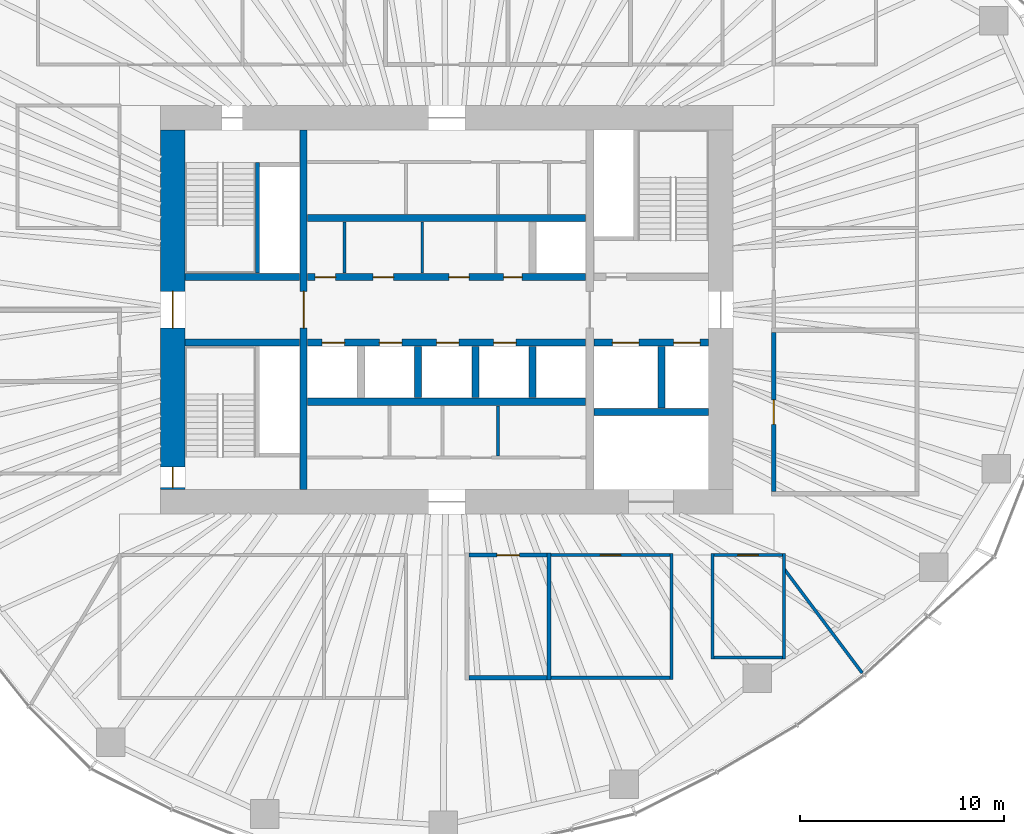
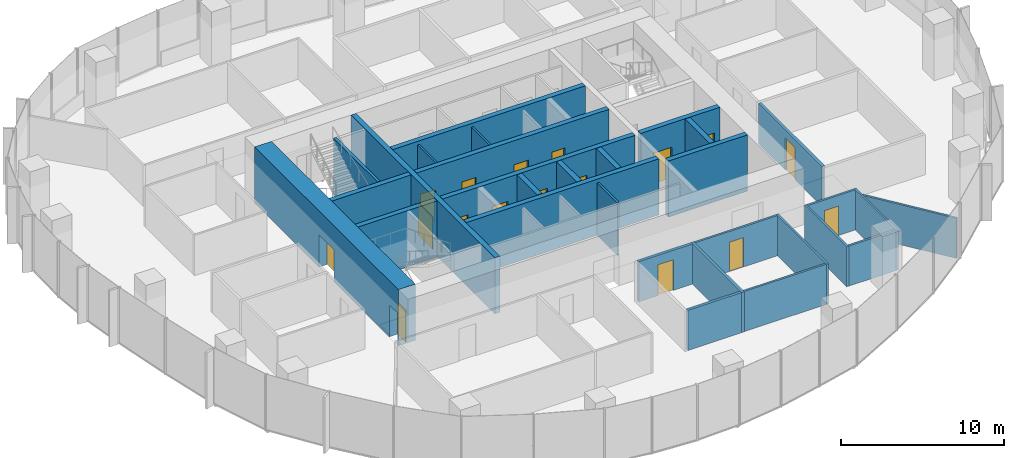
# One storey, part 9 of 18: 30 walls, 17 doors, 17 openings.
"""IFC4 building model written with IfcOpenShell, lengths in metres."""

from ifc_helpers import new_model, si_unit, direction, frame, frame_2d, origin, place, context, subcontext, project, spatial, rectangle, extrude, material, layer, layer_set, type_object, element, fill, save


model = new_model("IFC4")

# Units and contexts
model_context = context("Model", 3, precision=1e-05, world=origin(), true_north=direction((0.0, 1.0)))
body_context = subcontext(model_context, "Body", "Model", "MODEL_VIEW")
ifc_project = project(units=[si_unit("LENGTHUNIT", "METRE"), si_unit("AREAUNIT", "SQUARE_METRE"), si_unit("VOLUMEUNIT", "CUBIC_METRE"), si_unit("PLANEANGLEUNIT", "RADIAN"), si_unit("MASSUNIT", "GRAM", prefix="KILO")], contexts=[model_context])

# Site, building, storey
site_placement = place(None, origin())
site = spatial("IfcSite", under=ifc_project, at=site_placement, CompositionType="ELEMENT")
building_placement = place(site_placement, origin())
building = spatial("IfcBuilding", under=site, at=building_placement, Name="Ghaith Harvest Tower", CompositionType="ELEMENT")
storey_placement = place(building_placement, frame((0.0, 0.0, 155.39990234375)))
storey = spatial("IfcBuildingStorey", under=building, at=storey_placement, Name="L33", CompositionType="ELEMENT", Elevation=155.39990234375)

# Wall
ifc_material_1 = material(Name="Twin-stud gypsum board, acoustic", Category="gypsum")
ifc_layer_1 = layer(ifc_material_1, 0.199951171875)
ifc_layer_set_1 = layer_set([ifc_layer_1], Name="ACOUSTIC PARTITION 200")
wall_type_1 = type_object("IfcWallType", Name="ACOUSTIC PARTITION 200", PredefinedType="PARTITIONING", material=ifc_layer_set_1)
wall_1_placement = place(storey_placement, frame((5.0, -11.89990234375, 0.0), z_axis=(0.0, 0.0, 1.0), x_axis=(0.0, -1.0, 0.0)))
element("IfcWall", 1, at=wall_1_placement, inside=storey, type_object=wall_type_1, Name="Partition L33 row S2 cross wall 2", PredefinedType="PARTITIONING", context=body_context, shape_type="SweptSolid", body=[
    extrude(rectangle(XDim=6.2001953125, YDim=0.199951171875, at=frame_2d((3.10009765625, 0.0))), origin(), (0.0, 0.0, 1.0), 3.0),
])

# Wall, opening, door
wall_2_placement = place(storey_placement, frame((1.10009765625, -12.0, 0.0), z_axis=(0.0, 0.0, 1.0), x_axis=(1.0, 0.0, 0.0)))
wall_2 = element("IfcWall", 2, at=wall_2_placement, inside=storey, type_object=wall_type_1, Name="Partition L33-03", PredefinedType="PARTITIONING", context=body_context, shape_type="SweptSolid", body=[
    extrude(rectangle(XDim=3.7998046875, YDim=0.199951171875, at=frame_2d((1.89990234375, 0.0))), origin(), (0.0, 0.0, 1.0), 3.0),
])
opening_1_placement = place(wall_2_placement, frame((1.35009765625, 0.0, 0.0)))
opening_1 = element("IfcOpeningElement", 3, at=opening_1_placement, cuts=wall_2, Name="Opening 33-031", PredefinedType="OPENING", context=body_context, shape_type="SweptSolid", body=[
    extrude(rectangle(XDim=1.10009765625, YDim=2.300048828125, at=frame_2d((0.550048828125, 1.14990234375))), frame((0.0, 0.10986328125, 0.0), z_axis=(0.0, -1.0, 0.0), x_axis=(1.0, 0.0, 0.0)), (0.0, 0.0, 1.0), 0.219970703125),
])
ifc_material_2 = material(Name="Timber-framed glazed door", Category="wood")
door_type_1 = type_object("IfcDoorType", Name="D12 GLAZED OFFICE 1100x2300", OperationType="SINGLE_SWING_LEFT", PredefinedType="DOOR", material=ifc_material_2)
door_1_placement = place(opening_1_placement, origin())
door_1 = element("IfcDoor", 4, at=door_1_placement, inside=storey, type_object=door_type_1, Name="Focus room door", OperationType="SINGLE_SWING_LEFT", OverallHeight=2.300048828125, OverallWidth=1.10009765625, PredefinedType="DOOR", context=body_context, shape_type="SweptSolid", body=[
    extrude(rectangle(XDim=1.10009765625, YDim=2.300048828125, at=frame_2d((0.550048828125, 1.14990234375))), frame((0.0, 0.02490234375, 0.0), z_axis=(0.0, -1.0, 0.0), x_axis=(1.0, 0.0, 0.0)), (0.0, 0.0, 1.0), 0.050048828125),
])
fill(opening_1, door_1)

# Wall
wall_3_placement = place(storey_placement, frame((1.10009765625, -18.0, 0.0), z_axis=(0.0, 0.0, 1.0), x_axis=(1.0, 0.0, 0.0)))
element("IfcWall", 5, at=wall_3_placement, inside=storey, type_object=wall_type_1, Name="Partition L33-03", PredefinedType="PARTITIONING", context=body_context, shape_type="SweptSolid", body=[
    extrude(rectangle(XDim=3.7998046875, YDim=0.199951171875, at=frame_2d((1.89990234375, 0.0))), origin(), (0.0, 0.0, 1.0), 3.0),
])

# Wall, opening, door
wall_4_placement = place(storey_placement, frame((16.0, -8.89990234375, 0.0), z_axis=(0.0, 0.0, 1.0), x_axis=(0.0, 1.0, 0.0)))
wall_4 = element("IfcWall", 6, at=wall_4_placement, inside=storey, type_object=wall_type_1, Name="Partition L33-10", PredefinedType="PARTITIONING", context=body_context, shape_type="SweptSolid", body=[
    extrude(rectangle(XDim=7.7998046875, YDim=0.199951171875, at=frame_2d((3.89990234375, 0.0))), origin(), (0.0, 0.0, 1.0), 3.0),
])
opening_2_placement = place(wall_4_placement, frame((3.300048828125, 0.0, 0.0)))
opening_2 = element("IfcOpeningElement", 7, at=opening_2_placement, cuts=wall_4, Name="Opening 33-038", PredefinedType="OPENING", context=body_context, shape_type="SweptSolid", body=[
    extrude(rectangle(XDim=1.199951171875, YDim=2.39990234375, at=frame_2d((0.60009765625, 1.199951171875))), frame((0.0, 0.10986328125, 0.0), z_axis=(0.0, -1.0, 0.0), x_axis=(1.0, 0.0, 0.0)), (0.0, 0.0, 1.0), 0.219970703125),
])
ifc_material_3 = material(Name="Timber door", Category="wood")
door_type_2 = type_object("IfcDoorType", Name="D11 GLAZED 1200x2400", OperationType="SINGLE_SWING_LEFT", PredefinedType="DOOR", material=ifc_material_3)
door_2_placement = place(opening_2_placement, origin())
door_2 = element("IfcDoor", 8, at=door_2_placement, inside=storey, type_object=door_type_2, Name="Focus group room door", OperationType="SINGLE_SWING_LEFT", OverallHeight=2.39990234375, OverallWidth=1.199951171875, PredefinedType="DOOR", context=body_context, shape_type="SweptSolid", body=[
    extrude(rectangle(XDim=1.199951171875, YDim=2.39990234375, at=frame_2d((0.60009765625, 1.199951171875))), frame((0.0, 0.02490234375, 0.0), z_axis=(0.0, -1.0, 0.0), x_axis=(1.0, 0.0, 0.0)), (0.0, 0.0, 1.0), 0.050048828125),
])
fill(opening_2, door_2)

# Walls
ifc_material_4 = material(Name="Concrete blockwork, fair-faced", Category="masonry")
ifc_layer_2 = layer(ifc_material_4, 0.139892578125)
ifc_layer_set_2 = layer_set([ifc_layer_2], Name="CORE PARTITION 140")
wall_type_2 = type_object("IfcWallType", Name="CORE PARTITION 140", PredefinedType="PARTITIONING", material=ifc_layer_set_2)
wall_5_placement = place(storey_placement, frame((2.5, -4.699951171875, 0.0), z_axis=(0.0, 0.0, 1.0), x_axis=(0.0, -1.0, 0.0)))
element("IfcWall", 9, at=wall_5_placement, inside=storey, type_object=wall_type_2, Name="Core partition L33", PredefinedType="PARTITIONING", context=body_context, shape_type="SweptSolid", body=[
    extrude(rectangle(XDim=2.4599609375, YDim=0.139892578125, at=frame_2d((1.22998046875, 0.0))), origin(), (0.0, 0.0, 1.0), 3.9501953125),
])
for number, where, z_axis, x_axis, name in (
    (10, (-5.0, 1.800048828125, 0.0), (0.0, 0.0, 1.0), (0.0, 1.0, 0.0), "Core partition L33"),
    (11, (-1.199951171875, 1.800048828125, 0.0), (0.0, 0.0, 1.0), (0.0, 1.0, 0.0), "Core partition L33"),
):
    element("IfcWall", number, at=place(storey_placement, frame(where, z_axis=z_axis, x_axis=x_axis)), inside=storey, type_object=wall_type_2, Name=name, PredefinedType="PARTITIONING", context=body_context, shape_type="SweptSolid", body=[
        extrude(rectangle(XDim=2.5, YDim=0.139892578125, at=frame_2d((1.25, 0.0))), origin(), (0.0, 0.0, 1.0), 3.9501953125),
    ])

# Wall, openings, doors
ifc_material_5 = material(Name="Concrete C60/75", Category="concrete")
ifc_layer_3 = layer(ifc_material_5, 1.199951171875)
ifc_layer_set_3 = layer_set([ifc_layer_3], Name="CORE WALL CW1200 C60")
wall_type_3 = type_object("IfcWallType", Name="CORE WALL CW1200 C60", PredefinedType="SHEAR", material=ifc_layer_set_3)
wall_6_placement = place(storey_placement, frame((-13.39990234375, 8.800048828125, 0.0), z_axis=(0.0, 0.0, 1.0), x_axis=(0.0, -1.0, 0.0)))
wall_6 = element("IfcWall", 12, at=wall_6_placement, inside=storey, type_object=wall_type_3, Name="Core wall W L33", PredefinedType="SHEAR", context=body_context, shape_type="SweptSolid", body=[
    extrude(rectangle(XDim=17.60009765625, YDim=1.199951171875, at=frame_2d((8.800048828125, 0.0))), origin(), (0.0, 0.0, 1.0), 4.2001953125),
])
opening_3_placement = place(wall_6_placement, frame((7.89990234375, 0.0, 0.0)))
opening_3 = element("IfcOpeningElement", 13, at=opening_3_placement, cuts=wall_6, Name="Opening 33-001", PredefinedType="OPENING", context=body_context, shape_type="SweptSolid", body=[
    extrude(rectangle(XDim=1.800048828125, YDim=2.39990234375, at=frame_2d((0.89990234375, 1.199951171875))), frame((0.0, 0.60986328125, 0.0), z_axis=(0.0, -1.0, 0.0), x_axis=(1.0, 0.0, 0.0)), (0.0, 0.0, 1.0), 1.219970703125),
])
opening_4_placement = place(wall_6_placement, frame((16.5, 0.0, 0.0)))
opening_4 = element("IfcOpeningElement", 14, at=opening_4_placement, cuts=wall_6, Name="Opening 33-006", PredefinedType="OPENING", context=body_context, shape_type="SweptSolid", body=[
    extrude(rectangle(XDim=1.0, YDim=2.39990234375, at=frame_2d((0.5, 1.199951171875))), frame((0.0, 0.60986328125, 0.0), z_axis=(0.0, -1.0, 0.0), x_axis=(1.0, 0.0, 0.0)), (0.0, 0.0, 1.0), 1.219970703125),
])
ifc_material_6 = material(Name="Steel fire door", Category="steel")
door_type_3 = type_object("IfcDoorType", Name="D3 FD90 1000x2400", OperationType="SINGLE_SWING_LEFT", PredefinedType="DOOR", material=ifc_material_6)
door_3_placement = place(opening_4_placement, origin())
door_3 = element("IfcDoor", 15, at=door_3_placement, inside=storey, type_object=door_type_3, Name="Stair ST3 door", OperationType="SINGLE_SWING_RIGHT", OverallHeight=2.39990234375, OverallWidth=1.0, PredefinedType="DOOR", context=body_context, shape_type="SweptSolid", body=[
    extrude(rectangle(XDim=1.0, YDim=2.39990234375, at=frame_2d((0.5, 1.199951171875))), frame((0.0, 0.02490234375, 0.0), z_axis=(0.0, -1.0, 0.0), x_axis=(1.0, 0.0, 0.0)), (0.0, 0.0, 1.0), 0.050048828125),
])
fill(opening_4, door_3)
ifc_material_7 = material(Name="Steel fire door", Category="steel")
door_type_4 = type_object("IfcDoorType", Name="D4 FD90 PAIR 1800x2400", OperationType="DOUBLE_DOOR_SINGLE_SWING", PredefinedType="DOOR", material=ifc_material_7)
door_4_placement = place(opening_3_placement, origin())
door_4 = element("IfcDoor", 16, at=door_4_placement, inside=storey, type_object=door_type_4, Name="West lobby doors", OperationType="DOUBLE_DOOR_SINGLE_SWING", OverallHeight=2.39990234375, OverallWidth=1.800048828125, PredefinedType="DOOR", context=body_context, shape_type="SweptSolid", body=[
    extrude(rectangle(XDim=1.800048828125, YDim=2.39990234375, at=frame_2d((0.89990234375, 1.199951171875))), frame((0.0, 0.02490234375, 0.0), z_axis=(0.0, -1.0, 0.0), x_axis=(1.0, 0.0, 0.0)), (0.0, 0.0, 1.0), 0.050048828125),
])
fill(opening_3, door_4)

# Wall
ifc_material_8 = material(Name="Gypsum board on steel studs", Category="steel")
ifc_layer_4 = layer(ifc_material_8, 0.14990234375)
ifc_layer_set_4 = layer_set([ifc_layer_4], Name="PARTITION 150")
wall_type_4 = type_object("IfcWallType", Name="PARTITION 150", PredefinedType="PARTITIONING", material=ifc_layer_set_4)
wall_7_placement = place(storey_placement, frame((11.0, -11.925048828125, 0.0), z_axis=(0.0, 0.0, 1.0), x_axis=(0.0, -1.0, 0.0)))
element("IfcWall", 17, at=wall_7_placement, inside=storey, type_object=wall_type_4, Name="Partition L33 row S2 cross wall 3", PredefinedType="PARTITIONING", context=body_context, shape_type="SweptSolid", body=[
    extrude(rectangle(XDim=6.14990234375, YDim=0.14990234375, at=frame_2d((3.074951171875, 0.0))), origin(), (0.0, 0.0, 1.0), 3.0),
])

# Wall, opening, door
wall_8_placement = place(storey_placement, frame((5.10009765625, -12.0, 0.0), z_axis=(0.0, 0.0, 1.0), x_axis=(1.0, 0.0, 0.0)))
wall_8 = element("IfcWall", 18, at=wall_8_placement, inside=storey, type_object=wall_type_4, Name="Partition L33-04", PredefinedType="PARTITIONING", context=body_context, shape_type="SweptSolid", body=[
    extrude(rectangle(XDim=5.824951171875, YDim=0.14990234375, at=frame_2d((2.91259765625, 0.0))), origin(), (0.0, 0.0, 1.0), 3.0),
])
opening_5_placement = place(wall_8_placement, frame((2.41259765625, 0.0, 0.0)))
opening_5 = element("IfcOpeningElement", 19, at=opening_5_placement, cuts=wall_8, Name="Opening 33-032", PredefinedType="OPENING", context=body_context, shape_type="SweptSolid", body=[
    extrude(rectangle(XDim=1.0, YDim=2.199951171875, at=frame_2d((0.5, 1.10009765625))), frame((0.0, 0.0849609375, 0.0), z_axis=(0.0, -1.0, 0.0), x_axis=(1.0, 0.0, 0.0)), (0.0, 0.0, 1.0), 0.169921875),
])
ifc_material_9 = material(Name="Timber door", Category="wood")
door_type_5 = type_object("IfcDoorType", Name="D1 SINGLE 1000x2200", OperationType="SINGLE_SWING_LEFT", PredefinedType="DOOR", material=ifc_material_9)
door_5_placement = place(opening_5_placement, origin())
door_5 = element("IfcDoor", 20, at=door_5_placement, inside=storey, type_object=door_type_5, Name="Print room door", OperationType="SINGLE_SWING_LEFT", OverallHeight=2.199951171875, OverallWidth=1.0, PredefinedType="DOOR", context=body_context, shape_type="SweptSolid", body=[
    extrude(rectangle(XDim=1.0, YDim=2.199951171875, at=frame_2d((0.5, 1.10009765625))), frame((0.0, 0.02490234375, 0.0), z_axis=(0.0, -1.0, 0.0), x_axis=(1.0, 0.0, 0.0)), (0.0, 0.0, 1.0), 0.050048828125),
])
fill(opening_5, door_5)

# Walls
wall_9_placement = place(storey_placement, frame((5.10009765625, -18.0, 0.0), z_axis=(0.0, 0.0, 1.0), x_axis=(1.0, 0.0, 0.0)))
element("IfcWall", 21, at=wall_9_placement, inside=storey, type_object=wall_type_4, Name="Partition L33-04", PredefinedType="PARTITIONING", context=body_context, shape_type="SweptSolid", body=[
    extrude(rectangle(XDim=5.824951171875, YDim=0.14990234375, at=frame_2d((2.91259765625, 0.0))), origin(), (0.0, 0.0, 1.0), 3.0),
])
for number, where, z_axis, x_axis, name in (
    (22, (13.0, -11.925048828125, 0.0), (0.0, 0.0, 1.0), (0.0, -1.0, 0.0), "Partition L33 row S8 cross wall 1"),
    (23, (16.5, -11.925048828125, 0.0), (0.0, 0.0, 1.0), (0.0, -1.0, 0.0), "Partition L33 row S8 cross wall 2"),
):
    element("IfcWall", number, at=place(storey_placement, frame(where, z_axis=z_axis, x_axis=x_axis)), inside=storey, type_object=wall_type_4, Name=name, PredefinedType="PARTITIONING", context=body_context, shape_type="SweptSolid", body=[
        extrude(rectangle(XDim=5.14990234375, YDim=0.14990234375, at=frame_2d((2.574951171875, 0.0))), origin(), (0.0, 0.0, 1.0), 3.0),
    ])

# Wall, opening, door
wall_10_placement = place(storey_placement, frame((13.074951171875, -12.0, 0.0), z_axis=(0.0, 0.0, 1.0), x_axis=(1.0, 0.0, 0.0)))
wall_10 = element("IfcWall", 24, at=wall_10_placement, inside=storey, type_object=wall_type_4, Name="Partition L33-16", PredefinedType="PARTITIONING", context=body_context, shape_type="SweptSolid", body=[
    extrude(rectangle(XDim=3.35009765625, YDim=0.14990234375, at=frame_2d((1.675048828125, 0.0))), origin(), (0.0, 0.0, 1.0), 3.0),
])
opening_6_placement = place(wall_10_placement, frame((1.175048828125, 0.0, 0.0)))
opening_6 = element("IfcOpeningElement", 25, at=opening_6_placement, cuts=wall_10, Name="Opening 33-044", PredefinedType="OPENING", context=body_context, shape_type="SweptSolid", body=[
    extrude(rectangle(XDim=1.0, YDim=2.199951171875, at=frame_2d((0.5, 1.10009765625))), frame((0.0, 0.0849609375, 0.0), z_axis=(0.0, -1.0, 0.0), x_axis=(1.0, 0.0, 0.0)), (0.0, 0.0, 1.0), 0.169921875),
])
door_6_placement = place(opening_6_placement, origin())
door_6 = element("IfcDoor", 26, at=door_6_placement, inside=storey, type_object=door_type_5, Name="Store door", OperationType="SINGLE_SWING_LEFT", OverallHeight=2.199951171875, OverallWidth=1.0, PredefinedType="DOOR", context=body_context, shape_type="SweptSolid", body=[
    extrude(rectangle(XDim=1.0, YDim=2.199951171875, at=frame_2d((0.5, 1.10009765625))), frame((0.0, 0.02490234375, 0.0), z_axis=(0.0, -1.0, 0.0), x_axis=(1.0, 0.0, 0.0)), (0.0, 0.0, 1.0), 0.050048828125),
])
fill(opening_6, door_6)

# Walls
wall_11_placement = place(storey_placement, frame((13.074951171875, -17.0, 0.0), z_axis=(0.0, 0.0, 1.0), x_axis=(1.0, 0.0, 0.0)))
element("IfcWall", 27, at=wall_11_placement, inside=storey, type_object=wall_type_4, Name="Partition L33-16", PredefinedType="PARTITIONING", context=body_context, shape_type="SweptSolid", body=[
    extrude(rectangle(XDim=3.35009765625, YDim=0.14990234375, at=frame_2d((1.675048828125, 0.0))), origin(), (0.0, 0.0, 1.0), 3.0),
])
wall_12_placement = place(storey_placement, frame((16.52001953125, -12.693115234375, 0.0), z_axis=(0.0, 0.0, 1.0), x_axis=(0.600036938918, -0.799972294479, 0.0)))
element("IfcWall", 28, at=wall_12_placement, inside=storey, type_object=wall_type_4, Name="Partition L33 zone division", PredefinedType="PARTITIONING", context=body_context, shape_type="SweptSolid", body=[
    extrude(rectangle(XDim=6.3447265625, YDim=0.14990234375, at=frame_2d((3.17236328125, 0.0))), origin(), (0.0, 0.0, 1.0), 3.0),
])

# Wall, opening, door
ifc_material_10 = material(Name="Concrete C60/75", Category="concrete")
ifc_layer_5 = layer(ifc_material_10, 0.35009765625)
ifc_layer_set_5 = layer_set([ifc_layer_5], Name="SHAFT WALL 350")
wall_type_5 = type_object("IfcWallType", Name="SHAFT WALL 350", PredefinedType="SHEAR", material=ifc_layer_set_5)
wall_13_placement = place(storey_placement, frame((-7.0, -8.800048828125, 0.0), z_axis=(0.0, 0.0, 1.0), x_axis=(0.0, 1.0, 0.0)))
wall_13 = element("IfcWall", 29, at=wall_13_placement, inside=storey, type_object=wall_type_5, Name="Shaft wall W7W L33", PredefinedType="SHEAR", context=body_context, shape_type="SweptSolid", body=[
    extrude(rectangle(XDim=17.60009765625, YDim=0.35009765625, at=frame_2d((8.800048828125, 0.0))), origin(), (0.0, 0.0, 1.0), 4.2001953125),
])
opening_7_placement = place(wall_13_placement, frame((7.89990234375, 0.0, 0.0)))
opening_7 = element("IfcOpeningElement", 30, at=opening_7_placement, cuts=wall_13, Name="Opening 33-003", PredefinedType="OPENING", context=body_context, shape_type="SweptSolid", body=[
    extrude(rectangle(XDim=1.800048828125, YDim=2.39990234375, at=frame_2d((0.89990234375, 1.199951171875))), frame((0.0, 0.18505859375, 0.0), z_axis=(0.0, -1.0, 0.0), x_axis=(1.0, 0.0, 0.0)), (0.0, 0.0, 1.0), 0.3701171875),
])
door_7_placement = place(opening_7_placement, origin())
door_7 = element("IfcDoor", 31, at=door_7_placement, inside=storey, type_object=door_type_4, Name="Lift lobby doors, west", OperationType="DOUBLE_DOOR_SINGLE_SWING", OverallHeight=2.39990234375, OverallWidth=1.800048828125, PredefinedType="DOOR", context=body_context, shape_type="SweptSolid", body=[
    extrude(rectangle(XDim=1.800048828125, YDim=2.39990234375, at=frame_2d((0.89990234375, 1.199951171875))), frame((0.0, 0.02490234375, 0.0), z_axis=(0.0, -1.0, 0.0), x_axis=(1.0, 0.0, 0.0)), (0.0, 0.0, 1.0), 0.050048828125),
])
fill(opening_7, door_7)

# Wall, openings, doors
wall_14_placement = place(storey_placement, frame((-6.800048828125, 1.60009765625, 0.0), z_axis=(0.0, 0.0, 1.0), x_axis=(1.0, 0.0, 0.0)))
wall_14 = element("IfcWall", 32, at=wall_14_placement, inside=storey, type_object=wall_type_5, Name="Shaft wall LN L33", PredefinedType="SHEAR", context=body_context, shape_type="SweptSolid", body=[
    extrude(rectangle(XDim=13.60009765625, YDim=0.35009765625, at=frame_2d((6.800048828125, 0.0))), origin(), (0.0, 0.0, 1.0), 4.2001953125),
])
opening_8_placement = place(wall_14_placement, frame((0.364990234375, 0.0, 0.0)))
opening_8 = element("IfcOpeningElement", 33, at=opening_8_placement, cuts=wall_14, Name="Opening 33-016", PredefinedType="OPENING", context=body_context, shape_type="SweptSolid", body=[
    extrude(rectangle(XDim=1.0, YDim=2.39990234375, at=frame_2d((0.5, 1.199951171875))), frame((0.0, 0.18505859375, 0.0), z_axis=(0.0, -1.0, 0.0), x_axis=(1.0, 0.0, 0.0)), (0.0, 0.0, 1.0), 0.3701171875),
])
opening_9_placement = place(wall_14_placement, frame((3.199951171875, 0.0, 0.0)))
opening_9 = element("IfcOpeningElement", 34, at=opening_9_placement, cuts=wall_14, Name="Opening 33-017", PredefinedType="OPENING", context=body_context, shape_type="SweptSolid", body=[
    extrude(rectangle(XDim=1.0, YDim=2.39990234375, at=frame_2d((0.5, 1.199951171875))), frame((0.0, 0.18505859375, 0.0), z_axis=(0.0, -1.0, 0.0), x_axis=(1.0, 0.0, 0.0)), (0.0, 0.0, 1.0), 0.3701171875),
])
opening_10_placement = place(wall_14_placement, frame((6.89990234375, 0.0, 0.0)))
opening_10 = element("IfcOpeningElement", 35, at=opening_10_placement, cuts=wall_14, Name="Opening 33-018", PredefinedType="OPENING", context=body_context, shape_type="SweptSolid", body=[
    extrude(rectangle(XDim=1.0, YDim=2.39990234375, at=frame_2d((0.5, 1.199951171875))), frame((0.0, 0.18505859375, 0.0), z_axis=(0.0, -1.0, 0.0), x_axis=(1.0, 0.0, 0.0)), (0.0, 0.0, 1.0), 0.3701171875),
])
opening_11_placement = place(wall_14_placement, frame((9.5849609375, 0.0, 0.0)))
opening_11 = element("IfcOpeningElement", 36, at=opening_11_placement, cuts=wall_14, Name="Opening 33-019", PredefinedType="OPENING", context=body_context, shape_type="SweptSolid", body=[
    extrude(rectangle(XDim=0.89990234375, YDim=2.39990234375, at=frame_2d((0.449951171875, 1.199951171875))), frame((0.0, 0.18505859375, 0.0), z_axis=(0.0, -1.0, 0.0), x_axis=(1.0, 0.0, 0.0)), (0.0, 0.0, 1.0), 0.3701171875),
])
door_8_placement = place(opening_8_placement, origin())
door_8 = element("IfcDoor", 37, at=door_8_placement, inside=storey, type_object=door_type_3, Name="First aid room door", OperationType="SINGLE_SWING_LEFT", OverallHeight=2.39990234375, OverallWidth=1.0, PredefinedType="DOOR", context=body_context, shape_type="SweptSolid", body=[
    extrude(rectangle(XDim=1.0, YDim=2.39990234375, at=frame_2d((0.5, 1.199951171875))), frame((0.0, 0.02490234375, 0.0), z_axis=(0.0, -1.0, 0.0), x_axis=(1.0, 0.0, 0.0)), (0.0, 0.0, 1.0), 0.050048828125),
])
fill(opening_8, door_8)
door_9_placement = place(opening_9_placement, origin())
door_9 = element("IfcDoor", 38, at=door_9_placement, inside=storey, type_object=door_type_3, Name="Tea point door", OperationType="SINGLE_SWING_LEFT", OverallHeight=2.39990234375, OverallWidth=1.0, PredefinedType="DOOR", context=body_context, shape_type="SweptSolid", body=[
    extrude(rectangle(XDim=1.0, YDim=2.39990234375, at=frame_2d((0.5, 1.199951171875))), frame((0.0, 0.02490234375, 0.0), z_axis=(0.0, -1.0, 0.0), x_axis=(1.0, 0.0, 0.0)), (0.0, 0.0, 1.0), 0.050048828125),
])
fill(opening_9, door_9)
door_10_placement = place(opening_10_placement, origin())
door_10 = element("IfcDoor", 39, at=door_10_placement, inside=storey, type_object=door_type_3, Name="Tea point door", OperationType="SINGLE_SWING_RIGHT", OverallHeight=2.39990234375, OverallWidth=1.0, PredefinedType="DOOR", context=body_context, shape_type="SweptSolid", body=[
    extrude(rectangle(XDim=1.0, YDim=2.39990234375, at=frame_2d((0.5, 1.199951171875))), frame((0.0, 0.02490234375, 0.0), z_axis=(0.0, -1.0, 0.0), x_axis=(1.0, 0.0, 0.0)), (0.0, 0.0, 1.0), 0.050048828125),
])
fill(opening_10, door_10)
ifc_material_11 = material(Name="Steel fire door", Category="steel")
door_type_6 = type_object("IfcDoorType", Name="D5 FD90 900x2400", OperationType="SINGLE_SWING_LEFT", PredefinedType="DOOR", material=ifc_material_11)
door_11_placement = place(opening_11_placement, origin())
door_11 = element("IfcDoor", 40, at=door_11_placement, inside=storey, type_object=door_type_6, Name="Lobby store door", OperationType="SINGLE_SWING_RIGHT", OverallHeight=2.39990234375, OverallWidth=0.89990234375, PredefinedType="DOOR", context=body_context, shape_type="SweptSolid", body=[
    extrude(rectangle(XDim=0.89990234375, YDim=2.39990234375, at=frame_2d((0.449951171875, 1.199951171875))), frame((0.0, 0.02490234375, 0.0), z_axis=(0.0, -1.0, 0.0), x_axis=(1.0, 0.0, 0.0)), (0.0, 0.0, 1.0), 0.050048828125),
])
fill(opening_11, door_11)

wall_15_placement = place(storey_placement, frame((-6.800048828125, -1.60009765625, 0.0), z_axis=(0.0, 0.0, 1.0), x_axis=(1.0, 0.0, 0.0)))
wall_15 = element("IfcWall", 41, at=wall_15_placement, inside=storey, type_object=wall_type_5, Name="Shaft wall LS L33", PredefinedType="SHEAR", context=body_context, shape_type="SweptSolid", body=[
    extrude(rectangle(XDim=13.60009765625, YDim=0.35009765625, at=frame_2d((6.800048828125, 0.0))), origin(), (0.0, 0.0, 1.0), 4.2001953125),
])
opening_12_placement = place(wall_15_placement, frame((0.699951171875, 0.0, 0.0)))
opening_12 = element("IfcOpeningElement", 42, at=opening_12_placement, cuts=wall_15, Name="Opening 33-022", PredefinedType="OPENING", context=body_context, shape_type="SweptSolid", body=[
    extrude(rectangle(XDim=1.10009765625, YDim=2.39990234375, at=frame_2d((0.550048828125, 1.199951171875))), frame((0.0, 0.18505859375, 0.0), z_axis=(0.0, -1.0, 0.0), x_axis=(1.0, 0.0, 0.0)), (0.0, 0.0, 1.0), 0.3701171875),
])
opening_13_placement = place(wall_15_placement, frame((3.5, 0.0, 0.0)))
opening_13 = element("IfcOpeningElement", 43, at=opening_13_placement, cuts=wall_15, Name="Opening 33-023", PredefinedType="OPENING", context=body_context, shape_type="SweptSolid", body=[
    extrude(rectangle(XDim=1.10009765625, YDim=2.39990234375, at=frame_2d((0.550048828125, 1.199951171875))), frame((0.0, 0.18505859375, 0.0), z_axis=(0.0, -1.0, 0.0), x_axis=(1.0, 0.0, 0.0)), (0.0, 0.0, 1.0), 0.3701171875),
])
opening_14_placement = place(wall_15_placement, frame((6.300048828125, 0.0, 0.0)))
opening_14 = element("IfcOpeningElement", 44, at=opening_14_placement, cuts=wall_15, Name="Opening 33-024", PredefinedType="OPENING", context=body_context, shape_type="SweptSolid", body=[
    extrude(rectangle(XDim=1.10009765625, YDim=2.39990234375, at=frame_2d((0.550048828125, 1.199951171875))), frame((0.0, 0.18505859375, 0.0), z_axis=(0.0, -1.0, 0.0), x_axis=(1.0, 0.0, 0.0)), (0.0, 0.0, 1.0), 0.3701171875),
])
opening_15_placement = place(wall_15_placement, frame((9.10009765625, 0.0, 0.0)))
opening_15 = element("IfcOpeningElement", 45, at=opening_15_placement, cuts=wall_15, Name="Opening 33-025", PredefinedType="OPENING", context=body_context, shape_type="SweptSolid", body=[
    extrude(rectangle(XDim=1.10009765625, YDim=2.39990234375, at=frame_2d((0.550048828125, 1.199951171875))), frame((0.0, 0.18505859375, 0.0), z_axis=(0.0, -1.0, 0.0), x_axis=(1.0, 0.0, 0.0)), (0.0, 0.0, 1.0), 0.3701171875),
])
ifc_material_12 = material(Name="Steel fire door", Category="steel")
door_type_7 = type_object("IfcDoorType", Name="LD1 LANDING 1100x2400", OperationType="DOUBLE_DOOR_SLIDING", PredefinedType="DOOR", material=ifc_material_12)
door_12_placement = place(opening_12_placement, origin())
door_12 = element("IfcDoor", 46, at=door_12_placement, inside=storey, type_object=door_type_7, Name="Landing door, lift LR1", OperationType="DOUBLE_DOOR_SLIDING", OverallHeight=2.39990234375, OverallWidth=1.10009765625, PredefinedType="DOOR", context=body_context, shape_type="SweptSolid", body=[
    extrude(rectangle(XDim=1.10009765625, YDim=2.39990234375, at=frame_2d((0.550048828125, 1.199951171875))), frame((0.0, 0.02490234375, 0.0), z_axis=(0.0, -1.0, 0.0), x_axis=(1.0, 0.0, 0.0)), (0.0, 0.0, 1.0), 0.050048828125),
])
fill(opening_12, door_12)
door_13_placement = place(opening_13_placement, origin())
door_13 = element("IfcDoor", 47, at=door_13_placement, inside=storey, type_object=door_type_7, Name="Landing door, lift LR2", OperationType="DOUBLE_DOOR_SLIDING", OverallHeight=2.39990234375, OverallWidth=1.10009765625, PredefinedType="DOOR", context=body_context, shape_type="SweptSolid", body=[
    extrude(rectangle(XDim=1.10009765625, YDim=2.39990234375, at=frame_2d((0.550048828125, 1.199951171875))), frame((0.0, 0.02490234375, 0.0), z_axis=(0.0, -1.0, 0.0), x_axis=(1.0, 0.0, 0.0)), (0.0, 0.0, 1.0), 0.050048828125),
])
fill(opening_13, door_13)
door_14_placement = place(opening_14_placement, origin())
door_14 = element("IfcDoor", 48, at=door_14_placement, inside=storey, type_object=door_type_7, Name="Landing door, lift LR3", OperationType="DOUBLE_DOOR_SLIDING", OverallHeight=2.39990234375, OverallWidth=1.10009765625, PredefinedType="DOOR", context=body_context, shape_type="SweptSolid", body=[
    extrude(rectangle(XDim=1.10009765625, YDim=2.39990234375, at=frame_2d((0.550048828125, 1.199951171875))), frame((0.0, 0.02490234375, 0.0), z_axis=(0.0, -1.0, 0.0), x_axis=(1.0, 0.0, 0.0)), (0.0, 0.0, 1.0), 0.050048828125),
])
fill(opening_14, door_14)
door_15_placement = place(opening_15_placement, origin())
door_15 = element("IfcDoor", 49, at=door_15_placement, inside=storey, type_object=door_type_7, Name="Landing door, lift LR4", OperationType="DOUBLE_DOOR_SLIDING", OverallHeight=2.39990234375, OverallWidth=1.10009765625, PredefinedType="DOOR", context=body_context, shape_type="SweptSolid", body=[
    extrude(rectangle(XDim=1.10009765625, YDim=2.39990234375, at=frame_2d((0.550048828125, 1.199951171875))), frame((0.0, 0.02490234375, 0.0), z_axis=(0.0, -1.0, 0.0), x_axis=(1.0, 0.0, 0.0)), (0.0, 0.0, 1.0), 0.050048828125),
])
fill(opening_15, door_15)

# Walls
for number, where, z_axis, x_axis, name in (
    (50, (-6.800048828125, 4.5, 0.0), (0.0, 0.0, 1.0), (1.0, 0.0, 0.0), "Shaft wall BN L33"),
    (51, (-6.800048828125, -4.5, 0.0), (0.0, 0.0, 1.0), (1.0, 0.0, 0.0), "Shaft wall BS L33"),
):
    element("IfcWall", number, at=place(storey_placement, frame(where, z_axis=z_axis, x_axis=x_axis)), inside=storey, type_object=wall_type_5, Name=name, PredefinedType="SHEAR", context=body_context, shape_type="SweptSolid", body=[
        extrude(rectangle(XDim=13.60009765625, YDim=0.35009765625, at=frame_2d((6.800048828125, 0.0))), origin(), (0.0, 0.0, 1.0), 4.2001953125),
    ])
for number, where, z_axis, x_axis, name in (
    (52, (-12.800048828125, 1.60009765625, 0.0), (0.0, 0.0, 1.0), (1.0, 0.0, 0.0), "Shaft wall WN L33"),
    (53, (-12.800048828125, -1.60009765625, 0.0), (0.0, 0.0, 1.0), (1.0, 0.0, 0.0), "Shaft wall WS L33"),
):
    element("IfcWall", number, at=place(storey_placement, frame(where, z_axis=z_axis, x_axis=x_axis)), inside=storey, type_object=wall_type_5, Name=name, PredefinedType="SHEAR", context=body_context, shape_type="SweptSolid", body=[
        extrude(rectangle(XDim=5.60009765625, YDim=0.35009765625, at=frame_2d((2.800048828125, 0.0))), origin(), (0.0, 0.0, 1.0), 4.2001953125),
    ])

# Wall, openings, doors
wall_16_placement = place(storey_placement, frame((7.199951171875, -1.60009765625, 0.0), z_axis=(0.0, 0.0, 1.0), x_axis=(1.0, 0.0, 0.0)))
wall_16 = element("IfcWall", 54, at=wall_16_placement, inside=storey, type_object=wall_type_5, Name="Shaft wall ES L33", PredefinedType="SHEAR", context=body_context, shape_type="SweptSolid", body=[
    extrude(rectangle(XDim=5.60009765625, YDim=0.35009765625, at=frame_2d((2.800048828125, 0.0))), origin(), (0.0, 0.0, 1.0), 4.2001953125),
])
opening_16_placement = place(wall_16_placement, frame((0.89990234375, 0.0, 0.0)))
opening_16 = element("IfcOpeningElement", 55, at=opening_16_placement, cuts=wall_16, Name="Opening 33-026", PredefinedType="OPENING", context=body_context, shape_type="SweptSolid", body=[
    extrude(rectangle(XDim=1.300048828125, YDim=2.39990234375, at=frame_2d((0.64990234375, 1.199951171875))), frame((0.0, 0.18505859375, 0.0), z_axis=(0.0, -1.0, 0.0), x_axis=(1.0, 0.0, 0.0)), (0.0, 0.0, 1.0), 0.3701171875),
])
opening_17_placement = place(wall_16_placement, frame((3.89990234375, 0.0, 0.0)))
opening_17 = element("IfcOpeningElement", 56, at=opening_17_placement, cuts=wall_16, Name="Opening 33-027", PredefinedType="OPENING", context=body_context, shape_type="SweptSolid", body=[
    extrude(rectangle(XDim=1.300048828125, YDim=2.39990234375, at=frame_2d((0.64990234375, 1.199951171875))), frame((0.0, 0.18505859375, 0.0), z_axis=(0.0, -1.0, 0.0), x_axis=(1.0, 0.0, 0.0)), (0.0, 0.0, 1.0), 0.3701171875),
])
ifc_material_13 = material(Name="Steel fire door", Category="steel")
door_type_8 = type_object("IfcDoorType", Name="LD2 LANDING 1300x2400", OperationType="DOUBLE_DOOR_SLIDING", PredefinedType="DOOR", material=ifc_material_13)
door_16_placement = place(opening_16_placement, origin())
door_16 = element("IfcDoor", 57, at=door_16_placement, inside=storey, type_object=door_type_8, Name="Landing door, fire service lift FL1", OperationType="DOUBLE_DOOR_SLIDING", OverallHeight=2.39990234375, OverallWidth=1.300048828125, PredefinedType="DOOR", context=body_context, shape_type="SweptSolid", body=[
    extrude(rectangle(XDim=1.300048828125, YDim=2.39990234375, at=frame_2d((0.64990234375, 1.199951171875))), frame((0.0, 0.02490234375, 0.0), z_axis=(0.0, -1.0, 0.0), x_axis=(1.0, 0.0, 0.0)), (0.0, 0.0, 1.0), 0.050048828125),
])
fill(opening_16, door_16)
door_17_placement = place(opening_17_placement, origin())
door_17 = element("IfcDoor", 58, at=door_17_placement, inside=storey, type_object=door_type_8, Name="Landing door, fire service lift FL2", OperationType="DOUBLE_DOOR_SLIDING", OverallHeight=2.39990234375, OverallWidth=1.300048828125, PredefinedType="DOOR", context=body_context, shape_type="SweptSolid", body=[
    extrude(rectangle(XDim=1.300048828125, YDim=2.39990234375, at=frame_2d((0.64990234375, 1.199951171875))), frame((0.0, 0.02490234375, 0.0), z_axis=(0.0, -1.0, 0.0), x_axis=(1.0, 0.0, 0.0)), (0.0, 0.0, 1.0), 0.050048828125),
])
fill(opening_17, door_17)

# Walls
wall_17_placement = place(storey_placement, frame((10.5, -4.800048828125, 0.0), z_axis=(0.0, 0.0, 1.0), x_axis=(0.0, 1.0, 0.0)))
element("IfcWall", 59, at=wall_17_placement, inside=storey, type_object=wall_type_5, Name="Shaft wall FLD L33", PredefinedType="SHEAR", context=body_context, shape_type="SweptSolid", body=[
    extrude(rectangle(XDim=3.0, YDim=0.35009765625, at=frame_2d((1.5, 0.0))), origin(), (0.0, 0.0, 1.0), 4.2001953125),
])
wall_18_placement = place(storey_placement, frame((7.199951171875, -5.0, 0.0), z_axis=(0.0, 0.0, 1.0), x_axis=(1.0, 0.0, 0.0)))
element("IfcWall", 60, at=wall_18_placement, inside=storey, type_object=wall_type_5, Name="Shaft wall FLB L33", PredefinedType="SHEAR", context=body_context, shape_type="SweptSolid", body=[
    extrude(rectangle(XDim=5.60009765625, YDim=0.35009765625, at=frame_2d((2.800048828125, 0.0))), origin(), (0.0, 0.0, 1.0), 4.2001953125),
])
for number, where, z_axis, x_axis, name in (
    (61, (-1.39990234375, -4.300048828125, 0.0), (0.0, 0.0, 1.0), (0.0, 1.0, 0.0), "Shaft wall DS2 L33"),
    (62, (1.39990234375, -4.300048828125, 0.0), (0.0, 0.0, 1.0), (0.0, 1.0, 0.0), "Shaft wall DS3 L33"),
    (63, (4.199951171875, -4.300048828125, 0.0), (0.0, 0.0, 1.0), (0.0, 1.0, 0.0), "Shaft wall DS4 L33"),
):
    element("IfcWall", number, at=place(storey_placement, frame(where, z_axis=z_axis, x_axis=x_axis)), inside=storey, type_object=wall_type_5, Name=name, PredefinedType="SHEAR", context=body_context, shape_type="SweptSolid", body=[
        extrude(rectangle(XDim=2.5, YDim=0.35009765625, at=frame_2d((1.25, 0.0))), origin(), (0.0, 0.0, 1.0), 4.2001953125),
    ])
ifc_material_14 = material(Name="Concrete C40/50", Category="concrete")
ifc_layer_6 = layer(ifc_material_14, 0.199951171875)
ifc_layer_set_6 = layer_set([ifc_layer_6], Name="STAIR SPINE WALL RC200")
wall_type_6 = type_object("IfcWallType", Name="STAIR SPINE WALL RC200", PredefinedType="SOLIDWALL", material=ifc_layer_set_6)
wall_19_placement = place(storey_placement, frame((-9.25, 7.199951171875, 0.0), z_axis=(0.0, 0.0, 1.0), x_axis=(0.0, -1.0, 0.0)))
element("IfcWall", 64, at=wall_19_placement, inside=storey, type_object=wall_type_6, Name="Stair ST1 spine wall L33", PredefinedType="SOLIDWALL", context=body_context, shape_type="SweptSolid", body=[
    extrude(rectangle(XDim=5.39990234375, YDim=0.199951171875, at=frame_2d((2.699951171875, 0.0))), origin(), (0.0, 0.0, 1.0), 4.2001953125),
])

save(model, "model.ifc")
